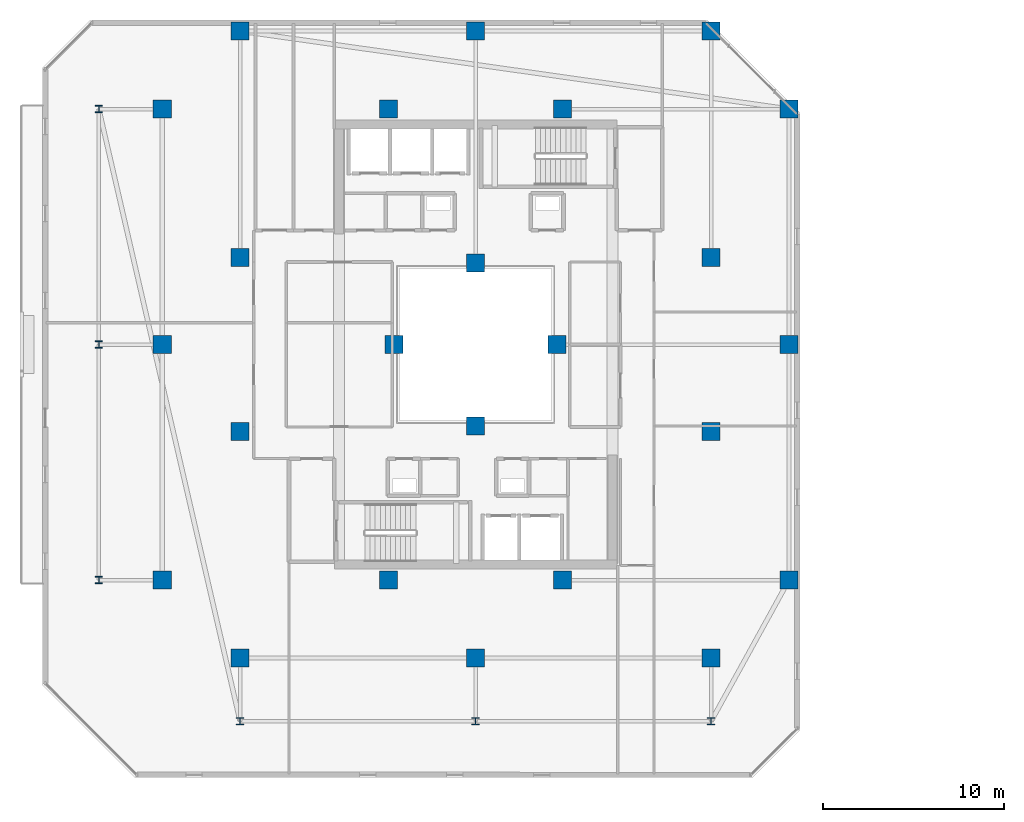
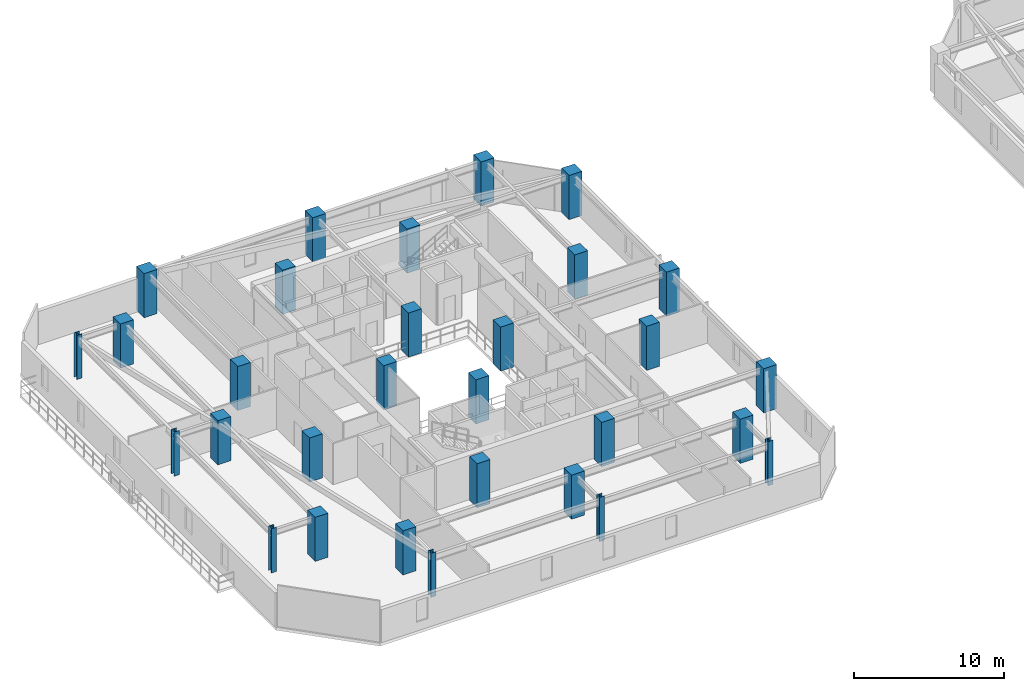
# One storey, part 1 of 32: 30 columns.
"""IFC4 building model written with IfcOpenShell, lengths in metres."""

from ifc_helpers import new_model, si_unit, direction, frame, origin, origin_2d, place, context, subcontext, project, spatial, rectangle, i_section, extrude, material, material_profile, profile_set, type_object, element, save


model = new_model("IFC4")

# Units and contexts
model_context = context("Model", 3, precision=1e-05, world=origin(), true_north=direction((0.0, 1.0)))
body_context = subcontext(model_context, "Body", "Model", "MODEL_VIEW")
ifc_project = project(units=[si_unit("LENGTHUNIT", "METRE"), si_unit("AREAUNIT", "SQUARE_METRE"), si_unit("VOLUMEUNIT", "CUBIC_METRE"), si_unit("PLANEANGLEUNIT", "RADIAN"), si_unit("MASSUNIT", "GRAM", prefix="KILO")], contexts=[model_context])

# Site, building, storey
site_placement = place(None, origin())
site = spatial("IfcSite", under=ifc_project, at=site_placement, CompositionType="ELEMENT")
building_placement = place(site_placement, origin())
building = spatial("IfcBuilding", under=site, at=building_placement, Name="Thornwick Lancets Civic Towers", CompositionType="ELEMENT")
storey_placement = place(building_placement, frame((0.0, 0.0, 243.89990234375)))
storey = spatial("IfcBuildingStorey", under=building, at=storey_placement, Name="L65", CompositionType="ELEMENT", Elevation=243.89990234375)

# Columns
ifc_material_1 = material(Name="Concrete C50/60", Category="concrete")
ifc_material_profile_1 = material_profile(ifc_material_1, rectangle(XDim=1.0, YDim=1.0, at=origin_2d()), Name="RC 1000x1000")
ifc_profile_set_1 = profile_set([ifc_material_profile_1], Name="Concrete C50/60")
column_type_1 = type_object("IfcColumnType", Name="COL_RC_1000", PredefinedType="COLUMN", material=ifc_profile_set_1)
for number, where, z_axis, x_axis, name in (
    (1, (12.5, 9.699951171875, 0.0), (0.0, 0.0, 1.0), (1.0, 0.0, 0.0), "L65 Spine Mega-Column A01"),
    (2, (25.5, 9.699951171875, 0.0), (0.0, 0.0, 1.0), (1.0, 0.0, 0.0), "L65 Spine Mega-Column A02"),
    (3, (38.5, 9.699951171875, 0.0), (0.0, 0.0, 1.0), (1.0, 0.0, 0.0), "L65 Spine Mega-Column A03"),
    (4, (42.800048828125, 14.0, 0.0), (0.0, 0.0, 1.0), (1.0, 0.0, 0.0), "L65 Spine Mega-Column A04"),
    (5, (42.800048828125, 27.0, 0.0), (0.0, 0.0, 1.0), (1.0, 0.0, 0.0), "L65 Spine Mega-Column A05"),
    (6, (42.800048828125, 40.0, 0.0), (0.0, 0.0, 1.0), (1.0, 0.0, 0.0), "L65 Spine Mega-Column A06"),
    (7, (12.5, 44.300048828125, 0.0), (0.0, 0.0, 1.0), (1.0, 0.0, 0.0), "L65 Spine Mega-Column A07"),
    (8, (25.5, 44.300048828125, 0.0), (0.0, 0.0, 1.0), (1.0, 0.0, 0.0), "L65 Spine Mega-Column A08"),
    (9, (38.5, 44.300048828125, 0.0), (0.0, 0.0, 1.0), (1.0, 0.0, 0.0), "L65 Spine Mega-Column A09"),
    (10, (8.199951171875, 14.0, 0.0), (0.0, 0.0, 1.0), (1.0, 0.0, 0.0), "L65 Spine Mega-Column A10"),
    (11, (8.199951171875, 27.0, 0.0), (0.0, 0.0, 1.0), (1.0, 0.0, 0.0), "L65 Spine Mega-Column A11"),
    (12, (8.199951171875, 40.0, 0.0), (0.0, 0.0, 1.0), (1.0, 0.0, 0.0), "L65 Spine Mega-Column A12"),
    (13, (12.5, 22.199951171875, 0.0), (0.0, 0.0, 1.0), (1.0, 0.0, 0.0), "L65 Spine Mega-Column A13"),
    (14, (38.5, 22.199951171875, 0.0), (0.0, 0.0, 1.0), (1.0, 0.0, 0.0), "L65 Spine Mega-Column A14"),
    (15, (12.5, 31.800048828125, 0.0), (0.0, 0.0, 1.0), (1.0, 0.0, 0.0), "L65 Spine Mega-Column A15"),
    (16, (38.5, 31.800048828125, 0.0), (0.0, 0.0, 1.0), (1.0, 0.0, 0.0), "L65 Spine Mega-Column A16"),
    (17, (20.699951171875, 14.0, 0.0), (0.0, 0.0, 1.0), (1.0, 0.0, 0.0), "L65 Spine Mega-Column A17"),
    (18, (30.300048828125, 14.0, 0.0), (0.0, 0.0, 1.0), (1.0, 0.0, 0.0), "L65 Spine Mega-Column A18"),
    (19, (20.699951171875, 40.0, 0.0), (0.0, 0.0, 1.0), (1.0, 0.0, 0.0), "L65 Spine Mega-Column A19"),
    (20, (30.300048828125, 40.0, 0.0), (0.0, 0.0, 1.0), (1.0, 0.0, 0.0), "L65 Spine Mega-Column A20"),
    (21, (25.5, 22.5, 0.0), (0.0, 0.0, 1.0), (1.0, 0.0, 0.0), "L65 Spine Mega-Column A21"),
    (22, (25.5, 31.5, 0.0), (0.0, 0.0, 1.0), (1.0, 0.0, 0.0), "L65 Spine Mega-Column A22"),
    (23, (21.0, 27.0, 0.0), (0.0, 0.0, 1.0), (1.0, 0.0, 0.0), "L65 Spine Mega-Column A23"),
    (24, (30.0, 27.0, 0.0), (0.0, 0.0, 1.0), (1.0, 0.0, 0.0), "L65 Spine Mega-Column A24"),
):
    element("IfcColumn", number, at=place(storey_placement, frame(where, z_axis=z_axis, x_axis=x_axis)), inside=storey, type_object=column_type_1, Name=name, PredefinedType="COLUMN", context=body_context, shape_type="SweptSolid", body=[
        extrude(rectangle(XDim=1.0, YDim=1.0, at=origin_2d()), origin(), (0.0, 0.0, 1.0), 3.60009765625),
    ])
ifc_material_2 = material(Name="Steel S355JR", Category="steel")
ifc_material_profile_2 = material_profile(ifc_material_2, i_section(OverallWidth=0.39892578125, OverallDepth=0.3935546875, WebThickness=0.022705078125, FlangeThickness=0.03662109375, FilletRadius=0.01513671875, at=origin_2d()), Name="UKC 356x406x287")
ifc_profile_set_2 = profile_set([ifc_material_profile_2], Name="Steel S355JR")
column_type_2 = type_object("IfcColumnType", Name="COL_UKC_287", PredefinedType="COLUMN", material=ifc_profile_set_2)
for number, where, z_axis, x_axis, name in (
    (25, (12.5, 6.199951171875, 0.0), (0.0, 0.0, 1.0), (1.0, 0.0, 0.0), "L65 Block Perimeter Column A01"),
    (26, (25.5, 6.199951171875, 0.0), (0.0, 0.0, 1.0), (1.0, 0.0, 0.0), "L65 Block Perimeter Column A02"),
    (27, (38.5, 6.199951171875, 0.0), (0.0, 0.0, 1.0), (1.0, 0.0, 0.0), "L65 Block Perimeter Column A03"),
    (28, (4.699951171875, 14.0, 0.0), (0.0, 0.0, 1.0), (1.0, 0.0, 0.0), "L65 Block Perimeter Column A10"),
    (29, (4.699951171875, 27.0, 0.0), (0.0, 0.0, 1.0), (1.0, 0.0, 0.0), "L65 Block Perimeter Column A11"),
    (30, (4.699951171875, 40.0, 0.0), (0.0, 0.0, 1.0), (1.0, 0.0, 0.0), "L65 Block Perimeter Column A12"),
):
    element("IfcColumn", number, at=place(storey_placement, frame(where, z_axis=z_axis, x_axis=x_axis)), inside=storey, type_object=column_type_2, Name=name, PredefinedType="COLUMN", context=body_context, shape_type="SweptSolid", body=[
        extrude(i_section(OverallWidth=0.39892578125, OverallDepth=0.3935546875, WebThickness=0.022705078125, FlangeThickness=0.03662109375, FilletRadius=0.01513671875, at=origin_2d()), origin(), (0.0, 0.0, 1.0), 3.60009765625),
    ])

save(model, "model.ifc")
